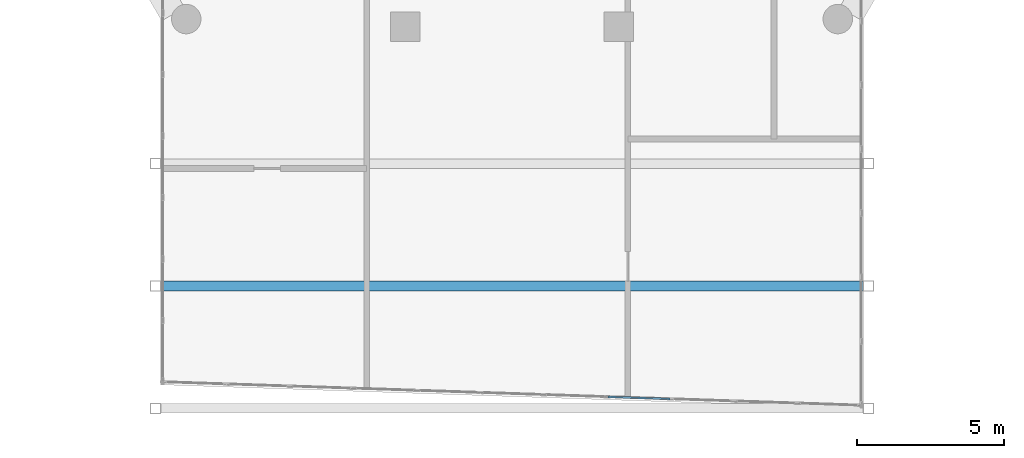
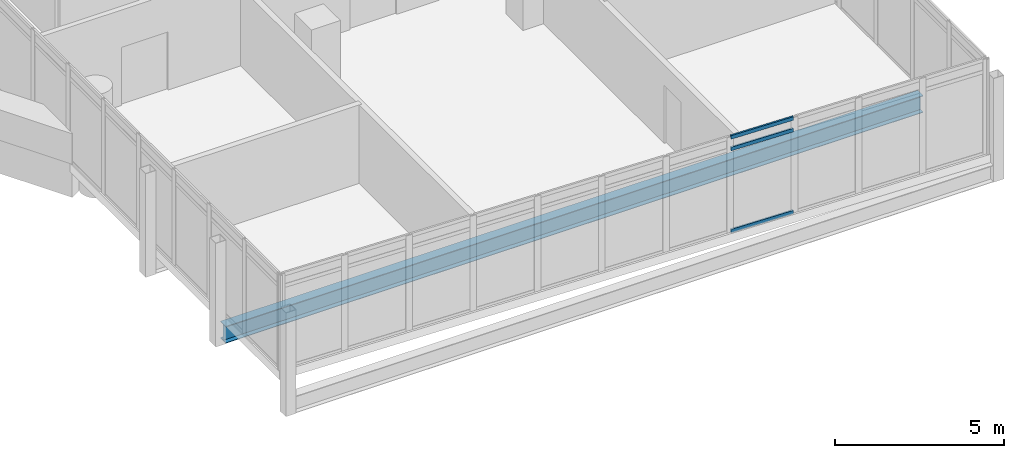
# One storey, part 6 of 29: 3 members, 1 beam, 1 element without a shape of its own.
"""IFC4 building model written with IfcOpenShell, lengths in metres."""

from ifc_helpers import new_model, si_unit, direction, frame, origin, origin_2d, place, context, subcontext, project, spatial, hollow_rectangle, i_section, extrude, material, material_profile, profile_set, type_object, element, aggregate, save


model = new_model("IFC4")

# Units and contexts
model_context = context("Model", 3, precision=1e-05, world=origin(), true_north=direction((0.0, 1.0)))
body_context = subcontext(model_context, "Body", "Model", "MODEL_VIEW")
ifc_project = project(units=[si_unit("LENGTHUNIT", "METRE"), si_unit("AREAUNIT", "SQUARE_METRE"), si_unit("VOLUMEUNIT", "CUBIC_METRE"), si_unit("PLANEANGLEUNIT", "RADIAN"), si_unit("MASSUNIT", "GRAM", prefix="KILO")], contexts=[model_context])

# Site, building, storey
site_placement = place(None, origin())
site = spatial("IfcSite", under=ifc_project, at=site_placement, CompositionType="ELEMENT")
building_placement = place(site_placement, origin())
building = spatial("IfcBuilding", under=site, at=building_placement, Name="Ostrander Bayou Hotel Tower", CompositionType="ELEMENT")
storey_placement = place(building_placement, frame((0.0, 0.0, 202.0)))
storey = spatial("IfcBuildingStorey", under=building, at=storey_placement, Name="L50", CompositionType="ELEMENT", Elevation=202.0)

# Curtain wall, members
ifc_material_1 = material(Name="Aluminium and clear glass", Category="aluminium")
curtain_wall_type = type_object("IfcCurtainWallType", Name="CW-BAR glazed wall", PredefinedType="NOTDEFINED", material=ifc_material_1)
curtain_wall_placement = place(storey_placement, origin())
curtain_wall = element("IfcCurtainWall", 1, at=curtain_wall_placement, inside=storey, type_object=curtain_wall_type, Name="CW-BAR L50:SB4S:T", PredefinedType="NOTDEFINED")
ifc_material_2 = material(Name="Aluminium", Category="aluminium")
ifc_material_profile_1 = material_profile(ifc_material_2, hollow_rectangle(XDim=0.06005859375, YDim=0.1298828125, WallThickness=0.00390625, at=origin_2d()))
ifc_profile_set_1 = profile_set([ifc_material_profile_1], Name="Aluminium")
member_type = type_object("IfcMemberType", Name="CW-BR transom 60 x 130 mm", PredefinedType="USERDEFINED", material=ifc_profile_set_1)
member_1_placement = place(storey_placement, frame((3.263671875, -29.759521484375, 0.030029296875), z_axis=(0.999441672059, -0.033411736736, 0.0), x_axis=(0.033411736736, 0.999441672059, 0.0)))
member_1 = element("IfcMember", 2, at=member_1_placement, type_object=member_type, Name="CW-BAR transom 8.1", ObjectType="TRANSOM", PredefinedType="USERDEFINED", context=body_context, shape_type="SweptSolid", body=[
    extrude(hollow_rectangle(XDim=0.06005859375, YDim=0.1298828125, WallThickness=0.00390625, at=origin_2d()), origin(), (0.0, 0.0, 1.0), 2.09716796875),
])
member_2_placement = place(storey_placement, frame((3.263671875, -29.759521484375, 3.0), z_axis=(0.999441672059, -0.033411736736, 0.0), x_axis=(0.033411736736, 0.999441672059, 0.0)))
member_2 = element("IfcMember", 3, at=member_2_placement, type_object=member_type, Name="CW-BAR transom 8.2", ObjectType="TRANSOM", PredefinedType="USERDEFINED", context=body_context, shape_type="SweptSolid", body=[
    extrude(hollow_rectangle(XDim=0.06005859375, YDim=0.1298828125, WallThickness=0.00390625, at=origin_2d()), origin(), (0.0, 0.0, 1.0), 2.09716796875),
])
member_3_placement = place(storey_placement, frame((3.263671875, -29.759521484375, 3.419921875), z_axis=(0.999441672059, -0.033411736736, 0.0), x_axis=(0.033411736736, 0.999441672059, 0.0)))
member_3 = element("IfcMember", 4, at=member_3_placement, type_object=member_type, Name="CW-BAR transom 8.3", ObjectType="TRANSOM", PredefinedType="USERDEFINED", context=body_context, shape_type="SweptSolid", body=[
    extrude(hollow_rectangle(XDim=0.06005859375, YDim=0.1298828125, WallThickness=0.00390625, at=origin_2d()), origin(), (0.0, 0.0, 1.0), 2.09716796875),
])
aggregate(curtain_wall, [member_1, member_2, member_3])

# Beam
ifc_material_3 = material(Name="Steel ASTM A992", Category="steel")
ifc_material_profile_2 = material_profile(ifc_material_3, i_section(OverallWidth=0.32373046875, OverallDepth=0.611083984375, WebThickness=0.0126953125, FlangeThickness=0.01904296875, at=origin_2d()))
ifc_profile_set_2 = profile_set([ifc_material_profile_2], Name="Steel ASTM A992")
beam_type = type_object("IfcBeamType", Name="TF2 bar floor beam W24x104", PredefinedType="BEAM", material=ifc_profile_set_2)
beam_placement = place(storey_placement, frame((-11.93212890625, -25.995361328125, -0.605712890625), z_axis=(1.0, 0.0, 0.0), x_axis=(0.0, 1.0, 0.0)))
element("IfcBeam", 5, at=beam_placement, inside=storey, type_object=beam_type, Name="TF2 SB4S L3-2", PredefinedType="BEAM", context=body_context, shape_type="SweptSolid", body=[
    extrude(i_section(OverallWidth=0.32373046875, OverallDepth=0.611083984375, WebThickness=0.0126953125, FlangeThickness=0.01904296875, at=origin_2d()), origin(), (0.0, 0.0, 1.0), 23.8642578125),
])

save(model, "model.ifc")
